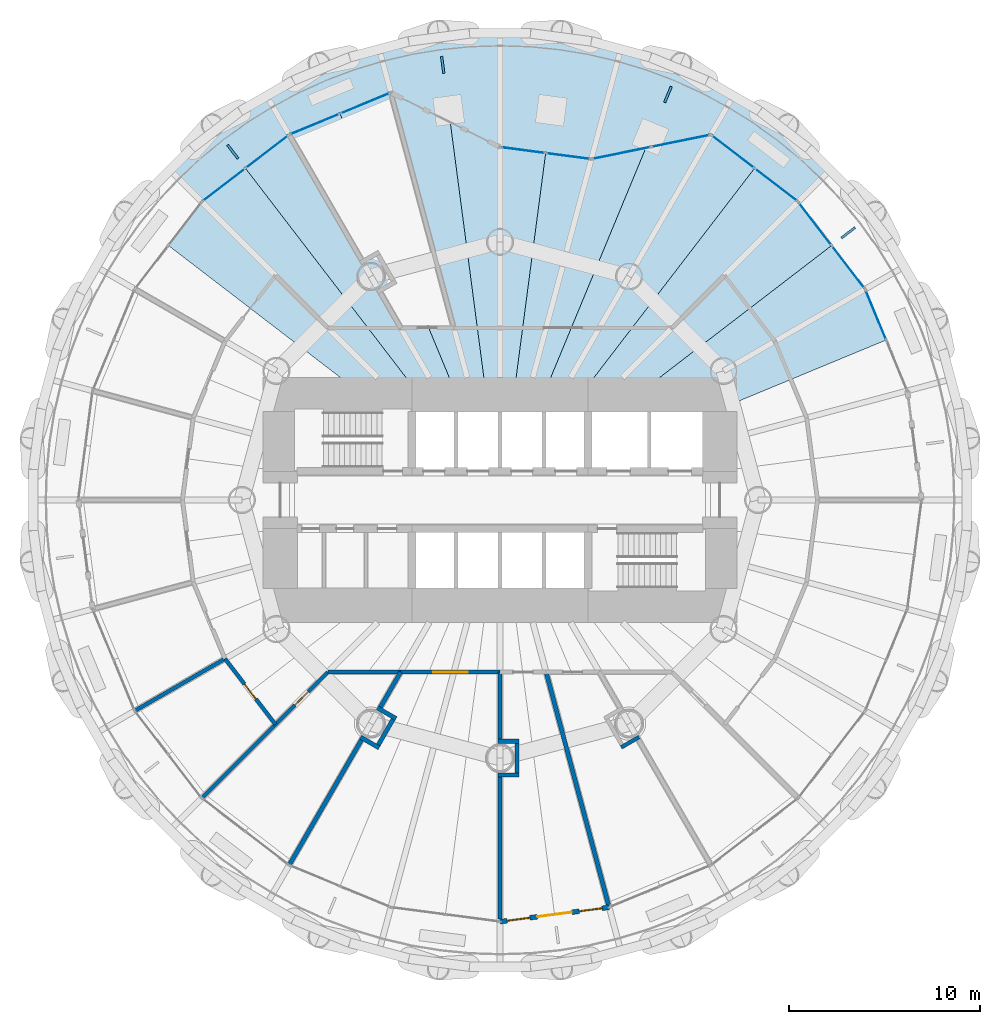
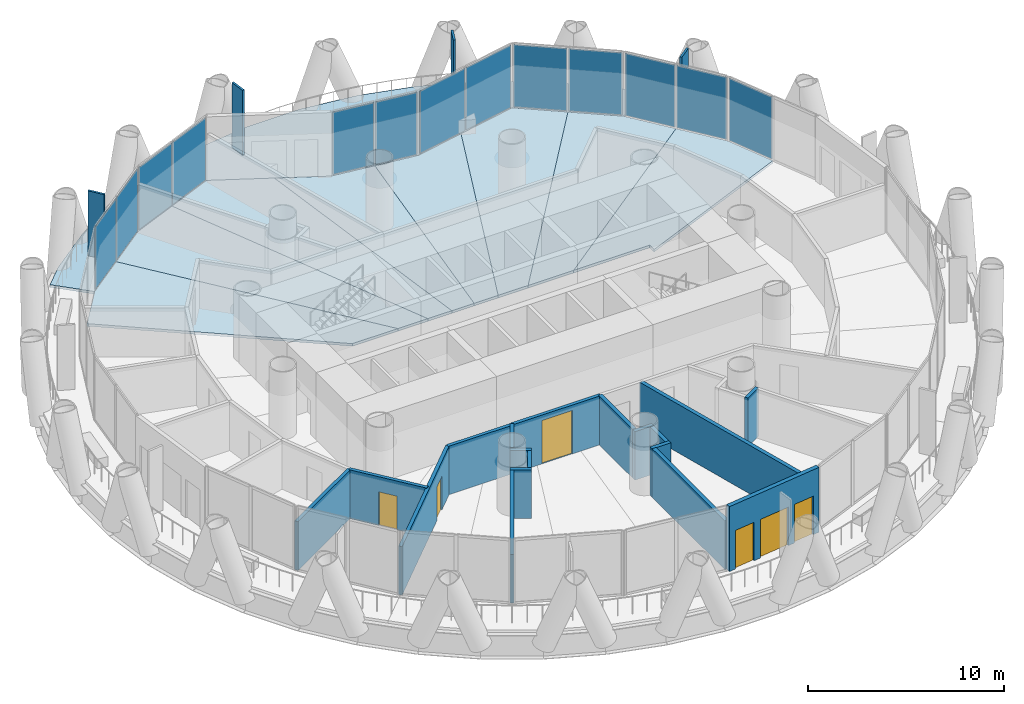
# One storey, part 9 of 16: 18 walls, 17 plates, 9 slabs, 4 doors, 2 windows, 6 openings, 7 elements without a shape of their own.
"""IFC4 building model written with IfcOpenShell, lengths in metres."""

from ifc_helpers import new_model, si_unit, direction, frame, frame_2d, origin, origin_2d, place, context, subcontext, project, spatial, polyline, rectangle, outline, extrude, material, layer, layer_set, type_object, element, fill, aggregate, save


model = new_model("IFC4")

# Units and contexts
model_context = context("Model", 3, precision=1e-05, world=origin(), true_north=direction((0.0, 1.0)))
body_context = subcontext(model_context, "Body", "Model", "MODEL_VIEW")
ifc_project = project(units=[si_unit("LENGTHUNIT", "METRE"), si_unit("AREAUNIT", "SQUARE_METRE"), si_unit("VOLUMEUNIT", "CUBIC_METRE"), si_unit("PLANEANGLEUNIT", "RADIAN"), si_unit("MASSUNIT", "GRAM", prefix="KILO")], contexts=[model_context])

# Site, building, storey
site_placement = place(None, origin())
site = spatial("IfcSite", under=ifc_project, at=site_placement, CompositionType="ELEMENT")
building_placement = place(site_placement, origin())
building = spatial("IfcBuilding", under=site, at=building_placement, Name="Qaws Media Tower", CompositionType="ELEMENT")
storey_placement = place(building_placement, frame((0.0, 0.0, 47.0)))
storey = spatial("IfcBuildingStorey", under=building, at=storey_placement, Name="L09", CompositionType="ELEMENT", Elevation=47.0)

# Slabs
ifc_material_1 = material(Name="Concrete C35/45", Category="concrete")
ifc_layer_1 = layer(ifc_material_1, 0.159912109375)
ifc_layer_set_1 = layer_set([ifc_layer_1], Name="Composite balcony slab 160")
slab_type_1 = type_object("IfcSlabType", Name="Composite balcony slab 160", PredefinedType="FLOOR", material=ifc_layer_set_1)
slab_1_placement = place(storey_placement, frame((0.0, 0.0, -0.159912109375)))
element("IfcSlab", 1, at=slab_1_placement, inside=storey, type_object=slab_type_1, Name="S2 balcony slab L09 R04 to R10, movement joints on R04 and R10", PredefinedType="FLOOR", context=body_context, shape_type="SweptSolid", body=[
    extrude(outline(polyline([(43.87890625, 68.382568359375), (46.416259765625, 70.329345703125), (49.18603515625, 71.928466796875), (52.140869140625, 73.15234375), (55.22998046875, 73.980224609375), (58.40087890625, 74.397705078125), (61.59912109375, 74.397705078125), (64.77001953125, 73.980224609375), (67.859130859375, 73.15234375), (70.81396484375, 71.928466796875), (73.583740234375, 70.329345703125), (76.12109375, 68.382568359375), (77.251708984375, 67.251708984375), (75.591796875, 65.591796875), (71.02490234375, 69.095947265625), (64.775146484375, 67.8212890625), (60.0, 68.449951171875), (54.29296875, 71.298583984375), (48.97509765625, 69.095947265625), (44.408203125, 65.591796875), (42.748291015625, 67.251708984375), (43.87890625, 68.382568359375)])), origin(), (0.0, 0.0, 1.0), 0.159912109375),
])
ifc_material_2 = material(Name="Concrete C35/45", Category="concrete")
ifc_layer_2 = layer(ifc_material_2, 0.159912109375)
ifc_layer_set_2 = layer_set([ifc_layer_2], Name="Composite floor slab 160")
slab_type_2 = type_object("IfcSlabType", Name="Composite floor slab 160", PredefinedType="FLOOR", material=ifc_layer_set_2)
slab_2_placement = place(storey_placement, frame((0.0, 0.0, -0.159912109375)))
element("IfcSlab", 2, at=slab_2_placement, inside=storey, type_object=slab_type_2, Name="S1 floor panel L09 on R03", PredefinedType="FLOOR", context=body_context, shape_type="SweptSolid", body=[
    extrude(outline(polyline([(79.095947265625, 61.02490234375), (80.197265625, 58.365966796875), (71.0, 54.556396484375), (71.0, 55.0), (66.51611328125, 55.0), (77.34375, 63.308349609375), (79.095947265625, 61.02490234375)])), origin(), (0.0, 0.0, 1.0), 0.159912109375),
])
slab_3_placement = place(storey_placement, frame((0.0, 0.0, -0.159912109375)))
element("IfcSlab", 3, at=slab_3_placement, inside=storey, type_object=slab_type_2, Name="S1 floor panel L09 on R04", PredefinedType="FLOOR", context=body_context, shape_type="SweptSolid", body=[
    extrude(outline(polyline([(75.591796875, 65.591796875), (77.34375, 63.308349609375), (66.51611328125, 55.0), (63.836669921875, 55.0), (73.308349609375, 67.34375), (75.591796875, 65.591796875)])), origin(), (0.0, 0.0, 1.0), 0.159912109375),
])
slab_4_placement = place(storey_placement, frame((0.0, 0.0, -0.159912109375)))
element("IfcSlab", 4, at=slab_4_placement, inside=storey, type_object=slab_type_2, Name="S1 floor panel L09 on R05", PredefinedType="FLOOR", context=body_context, shape_type="SweptSolid", body=[
    extrude(outline(polyline([(71.02490234375, 69.095947265625), (73.308349609375, 67.34375), (63.836669921875, 55.0), (62.071044921875, 55.0), (67.622314453125, 68.40185546875), (71.02490234375, 69.095947265625)])), origin(), (0.0, 0.0, 1.0), 0.159912109375),
])
slab_5_placement = place(storey_placement, frame((0.0, 0.0, -0.159912109375)))
element("IfcSlab", 5, at=slab_5_placement, inside=storey, type_object=slab_type_2, Name="S1 floor panel L09 on R06", PredefinedType="FLOOR", context=body_context, shape_type="SweptSolid", body=[
    extrude(outline(polyline([(64.775146484375, 67.8212890625), (67.622314453125, 68.40185546875), (62.071044921875, 55.0), (60.658203125, 55.0), (62.3876953125, 68.1357421875), (64.775146484375, 67.8212890625)])), origin(), (0.0, 0.0, 1.0), 0.159912109375),
])
slab_6_placement = place(storey_placement, frame((0.0, 0.0, -0.159912109375)))
element("IfcSlab", 6, at=slab_6_placement, inside=storey, type_object=slab_type_2, Name="S1 floor panel L09 on R07", PredefinedType="FLOOR", context=body_context, shape_type="SweptSolid", body=[
    extrude(outline(polyline([(60.0, 68.449951171875), (62.3876953125, 68.1357421875), (60.658203125, 55.0), (59.341796875, 55.0), (57.400146484375, 69.747802734375), (60.0, 68.449951171875)])), origin(), (0.0, 0.0, 1.0), 0.159912109375),
])
slab_7_placement = place(storey_placement, frame((0.0, 0.0, -0.159912109375)))
element("IfcSlab", 7, at=slab_7_placement, inside=storey, type_object=slab_type_2, Name="S1 floor panel L09 on R08", PredefinedType="FLOOR", context=body_context, shape_type="SweptSolid", body=[
    extrude(outline(polyline([(54.29296875, 71.298583984375), (57.400146484375, 69.747802734375), (59.341796875, 55.0), (57.928955078125, 55.0), (51.634033203125, 70.197265625), (54.29296875, 71.298583984375)])), origin(), (0.0, 0.0, 1.0), 0.159912109375),
])
slab_8_placement = place(storey_placement, frame((0.0, 0.0, -0.159912109375)))
element("IfcSlab", 8, at=slab_8_placement, inside=storey, type_object=slab_type_2, Name="S1 floor panel L09 on R09", PredefinedType="FLOOR", context=body_context, shape_type="SweptSolid", body=[
    extrude(outline(polyline([(48.97509765625, 69.095947265625), (51.634033203125, 70.197265625), (57.928955078125, 55.0), (56.163330078125, 55.0), (46.691650390625, 67.34375), (48.97509765625, 69.095947265625)])), origin(), (0.0, 0.0, 1.0), 0.159912109375),
])
slab_9_placement = place(storey_placement, frame((0.0, 0.0, -0.159912109375)))
element("IfcSlab", 9, at=slab_9_placement, inside=storey, type_object=slab_type_2, Name="S1 floor panel L09 on R10", PredefinedType="FLOOR", context=body_context, shape_type="SweptSolid", body=[
    extrude(outline(polyline([(44.408203125, 65.591796875), (46.691650390625, 67.34375), (56.163330078125, 55.0), (53.48388671875, 55.0), (42.65625, 63.308349609375), (44.408203125, 65.591796875)])), origin(), (0.0, 0.0, 1.0), 0.159912109375),
])

# Curtain wall, plate
ifc_material_3 = material(Name="Aluminium and clear glass", Category="aluminium")
curtain_wall_type_1 = type_object("IfcCurtainWallType", Name="Unitised curtain wall CW-A", PredefinedType="NOTDEFINED", material=ifc_material_3)
curtain_wall_1_placement = place(storey_placement, origin())
curtain_wall_1 = element("IfcCurtainWall", 10, at=curtain_wall_1_placement, inside=storey, type_object=curtain_wall_type_1, Name="CWA curtain wall L09-02", PredefinedType="NOTDEFINED")
ifc_material_4 = material(Name="Clear laminated double glazing", Category="glass")
ifc_layer_3 = layer(ifc_material_4, 0.031982421875)
ifc_layer_set_3 = layer_set([ifc_layer_3], Name="Curtain wall glass unit 32")
plate_type_1 = type_object("IfcPlateType", Name="Curtain wall glass unit 32", PredefinedType="CURTAIN_PANEL", material=ifc_layer_set_3)
plate_1_placement = place(storey_placement, frame((79.654296875, 59.677001953125, 0.080078125), z_axis=(0.0, 0.0, 1.0), x_axis=(-0.382683388877, 0.923879550525, 0.0)))
plate_1 = element("IfcPlate", 11, at=plate_1_placement, type_object=plate_type_1, Name="CWA panel 2.1", PredefinedType="CURTAIN_PANEL", context=body_context, shape_type="SweptSolid", body=[
    extrude(rectangle(XDim=2.758056640625, YDim=0.031982421875, at=origin_2d()), origin(), (0.0, 0.0, 1.0), 3.8798828125),
])
aggregate(curtain_wall_1, [plate_1])

# Curtain wall, plates
curtain_wall_2_placement = place(storey_placement, origin())
curtain_wall_2 = element("IfcCurtainWall", 12, at=curtain_wall_2_placement, inside=storey, type_object=curtain_wall_type_1, Name="CWA curtain wall L09-03", PredefinedType="NOTDEFINED")
plate_2_placement = place(storey_placement, frame((78.207763671875, 62.1826171875, 0.080078125), z_axis=(0.0, 0.0, 1.0), x_axis=(-0.608761320465, 0.79335342358, 0.0)))
plate_2 = element("IfcPlate", 13, at=plate_2_placement, type_object=plate_type_1, Name="CWA panel 1.1", PredefinedType="CURTAIN_PANEL", context=body_context, shape_type="SweptSolid", body=[
    extrude(rectangle(XDim=2.758056640625, YDim=0.031982421875, at=origin_2d()), origin(), (0.0, 0.0, 1.0), 3.8798828125),
])
plate_3_placement = place(storey_placement, frame((76.47998046875, 64.43408203125, 0.080078125), z_axis=(0.0, 0.0, 1.0), x_axis=(-0.608761320465, 0.79335342358, 0.0)))
plate_3 = element("IfcPlate", 14, at=plate_3_placement, type_object=plate_type_1, Name="CWA panel 2.1", PredefinedType="CURTAIN_PANEL", context=body_context, shape_type="SweptSolid", body=[
    extrude(rectangle(XDim=2.758056640625, YDim=0.031982421875, at=origin_2d()), origin(), (0.0, 0.0, 1.0), 3.8798828125),
])
aggregate(curtain_wall_2, [plate_2, plate_3])

curtain_wall_3_placement = place(storey_placement, origin())
curtain_wall_3 = element("IfcCurtainWall", 15, at=curtain_wall_3_placement, inside=storey, type_object=curtain_wall_type_1, Name="CWA curtain wall L09-04", PredefinedType="NOTDEFINED")
plate_4_placement = place(storey_placement, frame((74.43408203125, 66.47998046875, 0.080078125), z_axis=(0.0, 0.0, 1.0), x_axis=(-0.79335342358, 0.608761320465, 0.0)))
plate_4 = element("IfcPlate", 16, at=plate_4_placement, type_object=plate_type_1, Name="CWA panel 1.1", PredefinedType="CURTAIN_PANEL", context=body_context, shape_type="SweptSolid", body=[
    extrude(rectangle(XDim=2.758056640625, YDim=0.031982421875, at=origin_2d()), origin(), (0.0, 0.0, 1.0), 3.8798828125),
])
plate_5_placement = place(storey_placement, frame((72.1826171875, 68.207763671875, 0.080078125), z_axis=(0.0, 0.0, 1.0), x_axis=(-0.79335342358, 0.608761320465, 0.0)))
plate_5 = element("IfcPlate", 17, at=plate_5_placement, type_object=plate_type_1, Name="CWA panel 2.1", PredefinedType="CURTAIN_PANEL", context=body_context, shape_type="SweptSolid", body=[
    extrude(rectangle(XDim=2.758056640625, YDim=0.031982421875, at=origin_2d()), origin(), (0.0, 0.0, 1.0), 3.8798828125),
])
aggregate(curtain_wall_3, [plate_4, plate_5])

ifc_material_5 = material(Name="Aluminium and clear glass", Category="aluminium")
curtain_wall_type_2 = type_object("IfcCurtainWallType", Name="Loggia curtain wall CW-G", PredefinedType="NOTDEFINED", material=ifc_material_5)
curtain_wall_4_placement = place(storey_placement, origin())
curtain_wall_4 = element("IfcCurtainWall", 18, at=curtain_wall_4_placement, inside=storey, type_object=curtain_wall_type_2, Name="CWG curtain wall L09-05", PredefinedType="NOTDEFINED")
plate_6_placement = place(storey_placement, frame((69.44287109375, 68.773193359375, 0.080078125), z_axis=(0.0, 0.0, 1.0), x_axis=(-0.979832864892, -0.19981881012, 0.0)))
plate_6 = element("IfcPlate", 19, at=plate_6_placement, type_object=plate_type_1, Name="CWG panel 1.1", PredefinedType="CURTAIN_PANEL", context=body_context, shape_type="SweptSolid", body=[
    extrude(rectangle(XDim=3.069091796875, YDim=0.031982421875, at=origin_2d()), origin(), (0.0, 0.0, 1.0), 3.8798828125),
])
plate_7_placement = place(storey_placement, frame((66.357177734375, 68.14404296875, 0.080078125), z_axis=(0.0, 0.0, 1.0), x_axis=(-0.979832864892, -0.19981881012, 0.0)))
plate_7 = element("IfcPlate", 20, at=plate_7_placement, type_object=plate_type_1, Name="CWG panel 2.1", PredefinedType="CURTAIN_PANEL", context=body_context, shape_type="SweptSolid", body=[
    extrude(rectangle(XDim=3.069091796875, YDim=0.031982421875, at=origin_2d()), origin(), (0.0, 0.0, 1.0), 3.8798828125),
])
aggregate(curtain_wall_4, [plate_6, plate_7])

curtain_wall_5_placement = place(storey_placement, origin())
curtain_wall_5 = element("IfcCurtainWall", 21, at=curtain_wall_5_placement, inside=storey, type_object=curtain_wall_type_2, Name="CWG curtain wall L09-06", PredefinedType="NOTDEFINED")
plate_8_placement = place(storey_placement, frame((63.5615234375, 67.981201171875, 0.080078125), z_axis=(0.0, 0.0, 1.0), x_axis=(-0.991444846721, 0.130526303519, 0.0)))
plate_8 = element("IfcPlate", 22, at=plate_8_placement, type_object=plate_type_1, Name="CWG panel 1.1", PredefinedType="CURTAIN_PANEL", context=body_context, shape_type="SweptSolid", body=[
    extrude(rectangle(XDim=2.288330078125, YDim=0.031982421875, at=origin_2d()), origin(), (0.0, 0.0, 1.0), 3.8798828125),
])
plate_9_placement = place(storey_placement, frame((61.213623046875, 68.290283203125, 0.080078125), z_axis=(0.0, 0.0, 1.0), x_axis=(-0.991444846721, 0.130526303519, 0.0)))
plate_9 = element("IfcPlate", 23, at=plate_9_placement, type_object=plate_type_1, Name="CWG panel 2.1", PredefinedType="CURTAIN_PANEL", context=body_context, shape_type="SweptSolid", body=[
    extrude(rectangle(XDim=2.288330078125, YDim=0.031982421875, at=origin_2d()), origin(), (0.0, 0.0, 1.0), 3.8798828125),
])
aggregate(curtain_wall_5, [plate_8, plate_9])

curtain_wall_6_placement = place(storey_placement, origin())
curtain_wall_6 = element("IfcCurtainWall", 24, at=curtain_wall_6_placement, inside=storey, type_object=curtain_wall_type_1, Name="CWA curtain wall L09-08", PredefinedType="NOTDEFINED")
plate_10_placement = place(storey_placement, frame((52.945068359375, 70.740234375, 0.080078125), z_axis=(0.0, 0.0, 1.0), x_axis=(-0.923879550525, -0.382683388877, 0.0)))
plate_10 = element("IfcPlate", 25, at=plate_10_placement, type_object=plate_type_1, Name="CWA panel 1.1", PredefinedType="CURTAIN_PANEL", context=body_context, shape_type="SweptSolid", body=[
    extrude(rectangle(XDim=2.758056640625, YDim=0.031982421875, at=origin_2d()), origin(), (0.0, 0.0, 1.0), 3.8798828125),
])
plate_11_placement = place(storey_placement, frame((50.322998046875, 69.654296875, 0.080078125), z_axis=(0.0, 0.0, 1.0), x_axis=(-0.923879550525, -0.382683388877, 0.0)))
plate_11 = element("IfcPlate", 26, at=plate_11_placement, type_object=plate_type_1, Name="CWA panel 2.1", PredefinedType="CURTAIN_PANEL", context=body_context, shape_type="SweptSolid", body=[
    extrude(rectangle(XDim=2.758056640625, YDim=0.031982421875, at=origin_2d()), origin(), (0.0, 0.0, 1.0), 3.8798828125),
])
aggregate(curtain_wall_6, [plate_10, plate_11])

curtain_wall_7_placement = place(storey_placement, origin())
curtain_wall_7 = element("IfcCurtainWall", 27, at=curtain_wall_7_placement, inside=storey, type_object=curtain_wall_type_1, Name="CWA curtain wall L09-09", PredefinedType="NOTDEFINED")
plate_12_placement = place(storey_placement, frame((47.8173828125, 68.207763671875, 0.080078125), z_axis=(0.0, 0.0, 1.0), x_axis=(-0.79335342358, -0.608761320465, 0.0)))
plate_12 = element("IfcPlate", 28, at=plate_12_placement, type_object=plate_type_1, Name="CWA panel 1.1", PredefinedType="CURTAIN_PANEL", context=body_context, shape_type="SweptSolid", body=[
    extrude(rectangle(XDim=2.758056640625, YDim=0.031982421875, at=origin_2d()), origin(), (0.0, 0.0, 1.0), 3.8798828125),
])
plate_13_placement = place(storey_placement, frame((45.56591796875, 66.47998046875, 0.080078125), z_axis=(0.0, 0.0, 1.0), x_axis=(-0.79335342358, -0.608761320465, 0.0)))
plate_13 = element("IfcPlate", 29, at=plate_13_placement, type_object=plate_type_1, Name="CWA panel 2.1", PredefinedType="CURTAIN_PANEL", context=body_context, shape_type="SweptSolid", body=[
    extrude(rectangle(XDim=2.758056640625, YDim=0.031982421875, at=origin_2d()), origin(), (0.0, 0.0, 1.0), 3.8798828125),
])
aggregate(curtain_wall_7, [plate_12, plate_13])

# Plates
ifc_material_6 = material(Name="Precast concrete screen fin", Category="concrete")
ifc_layer_4 = layer(ifc_material_6, 0.1201171875)
ifc_layer_set_4 = layer_set([ifc_layer_4], Name="Screen fin 120x900")
plate_type_2 = type_object("IfcPlateType", Name="Screen fin 120x900", PredefinedType="USERDEFINED", material=ifc_layer_set_4)
for number, where, z_axis, x_axis, name in (
    (30, (78.20751953125, 63.97119140625, 0.0), (0.0, 0.0, 1.0), (0.793353340291, 0.608761429009, 0.0), "SCR1 screen fin L09-02"),
    (31, (68.782470703125, 71.203125, 0.0), (0.0, 0.0, 1.0), (0.382683432365, 0.923879532511, 0.0), "SCR1 screen fin L09-03"),
    (32, (57.00439453125, 72.753662109375, 0.0), (0.0, 0.0, 1.0), (-0.13052619222, 0.991444861374, 0.0), "SCR1 screen fin L09-04"),
    (33, (46.02880859375, 68.20751953125, 0.0), (0.0, 0.0, 1.0), (-0.608761429009, 0.793353340291, 0.0), "SCR1 screen fin L09-05"),
):
    element("IfcPlate", number, at=place(storey_placement, frame(where, z_axis=z_axis, x_axis=x_axis)), inside=storey, type_object=plate_type_2, Name=name, ObjectType="SCREEN", PredefinedType="USERDEFINED", context=body_context, shape_type="SweptSolid", body=[
        extrude(rectangle(XDim=0.89990234375, YDim=0.1201171875, at=origin_2d()), origin(), (0.0, 0.0, 1.0), 4.0400390625),
    ])

# Walls
ifc_material_7 = material(Name="Twin metal stud frames, two layers gypsum board each side, insulated, Rw 55", Category="gypsum")
ifc_layer_5 = layer(ifc_material_7, 0.22509765625)
ifc_layer_set_5 = layer_set([ifc_layer_5], Name="Acoustic twin-stud partition 225 Rw 55")
wall_type_1 = type_object("IfcWallType", Name="Acoustic twin-stud partition 225 Rw 55", PredefinedType="PARTITIONING", material=ifc_layer_set_5)
wall_1_placement = place(storey_placement, frame((53.59423828125, 39.1298828125, 0.0), z_axis=(0.0, 0.0, 1.0), x_axis=(0.866112899501, -0.499848422343, 0.0)))
element("IfcWall", 34, at=wall_1_placement, inside=storey, type_object=wall_type_1, Name="W062 IW6 partition return L09", PredefinedType="PARTITIONING", context=body_context, shape_type="SweptSolid", body=[
    extrude(rectangle(XDim=1.118408203125, YDim=0.22509765625, at=frame_2d((0.55908203125, 0.0))), origin(), (0.0, 0.0, 1.0), 3.02001953125),
])
wall_2_placement = place(storey_placement, frame((52.710693359375, 37.599853515625, 0.0), z_axis=(0.0, 0.0, 1.0), x_axis=(0.866018397847, -0.500012134443, 0.0)))
element("IfcWall", 35, at=wall_2_placement, inside=storey, type_object=wall_type_1, Name="W058 IW6 partition return L09", PredefinedType="PARTITIONING", context=body_context, shape_type="SweptSolid", body=[
    extrude(rectangle(XDim=1.11865234375, YDim=0.22509765625, at=frame_2d((0.559326171875, 0.0))), origin(), (0.0, 0.0, 1.0), 3.02001953125),
])
wall_3_placement = place(storey_placement, frame((54.4091796875, 38.529541015625, 0.0), z_axis=(0.0, 0.0, 1.0), x_axis=(-0.499987416453, -0.866032668777, 0.0)))
element("IfcWall", 36, at=wall_3_placement, inside=storey, type_object=wall_type_1, Name="W064 IW6 partition return L09", PredefinedType="PARTITIONING", context=body_context, shape_type="SweptSolid", body=[
    extrude(rectangle(XDim=1.5419921875, YDim=0.22509765625, at=frame_2d((0.77099609375, 0.0))), origin(), (0.0, 0.0, 1.0), 3.02001953125),
])
wall_4_placement = place(storey_placement, frame((54.81005859375, 41.0107421875, 0.0), z_axis=(0.0, 0.0, 1.0), x_axis=(-0.499971184285, -0.866042039906, 0.0)))
element("IfcWall", 37, at=wall_4_placement, inside=storey, type_object=wall_type_1, Name="W066 IW6 partition L09", PredefinedType="PARTITIONING", context=body_context, shape_type="SweptSolid", body=[
    extrude(rectangle(XDim=2.124267578125, YDim=0.22509765625, at=frame_2d((1.06201171875, 0.0))), origin(), (0.0, 0.0, 1.0), 3.0400390625),
])
wall_5_placement = place(storey_placement, frame((52.751953125, 37.446044921875, 0.0), z_axis=(0.0, 0.0, 1.0), x_axis=(-0.49998308612, -0.866035168797, 0.0)))
element("IfcWall", 38, at=wall_5_placement, inside=storey, type_object=wall_type_1, Name="W060 IW6 partition L09", PredefinedType="PARTITIONING", context=body_context, shape_type="SweptSolid", body=[
    extrude(rectangle(XDim=7.513916015625, YDim=0.22509765625, at=frame_2d((3.7568359375, 0.0))), origin(), (0.0, 0.0, 1.0), 3.0400390625),
])
for number, where, z_axis, x_axis, name in (
    (39, (59.887451171875, 37.383544921875, 0.0), (0.0, 0.0, 1.0), (1.0, 0.0, 0.0), "W069 IW6 partition return L09"),
    (40, (59.887451171875, 35.616455078125, 0.0), (0.0, 0.0, 1.0), (1.0, 0.0, 0.0), "W068 IW6 partition return L09"),
):
    element("IfcWall", number, at=place(storey_placement, frame(where, z_axis=z_axis, x_axis=x_axis)), inside=storey, type_object=wall_type_1, Name=name, PredefinedType="PARTITIONING", context=body_context, shape_type="SweptSolid", body=[
        extrude(rectangle(XDim=1.11865234375, YDim=0.22509765625, at=frame_2d((0.559326171875, 0.0))), origin(), (0.0, 0.0, 1.0), 3.02001953125),
    ])
wall_6_placement = place(storey_placement, frame((60.8935546875, 37.27099609375, 0.0), z_axis=(0.0, 0.0, 1.0), x_axis=(0.0, -1.0, 0.0)))
element("IfcWall", 41, at=wall_6_placement, inside=storey, type_object=wall_type_1, Name="W072 IW6 partition return L09", PredefinedType="PARTITIONING", context=body_context, shape_type="SweptSolid", body=[
    extrude(rectangle(XDim=1.5419921875, YDim=0.22509765625, at=frame_2d((0.77099609375, 0.0))), origin(), (0.0, 0.0, 1.0), 3.02001953125),
])
wall_7_placement = place(storey_placement, frame((60.0, 41.0, 0.0), z_axis=(0.0, 0.0, 1.0), x_axis=(0.0, -1.0, 0.0)))
element("IfcWall", 42, at=wall_7_placement, inside=storey, type_object=wall_type_1, Name="W071 IW6 partition L09", PredefinedType="PARTITIONING", context=body_context, shape_type="SweptSolid", body=[
    extrude(rectangle(XDim=3.50390625, YDim=0.22509765625, at=frame_2d((1.751953125, 0.0))), origin(), (0.0, 0.0, 1.0), 3.0400390625),
])
wall_8_placement = place(storey_placement, frame((60.0, 35.50390625, 0.0), z_axis=(0.0, 0.0, 1.0), x_axis=(0.0, -1.0, 0.0)))
element("IfcWall", 43, at=wall_8_placement, inside=storey, type_object=wall_type_1, Name="W070 IW6 partition L09", PredefinedType="PARTITIONING", context=body_context, shape_type="SweptSolid", body=[
    extrude(rectangle(XDim=7.413818359375, YDim=0.22509765625, at=frame_2d((3.70703125, 0.0))), origin(), (0.0, 0.0, 1.0), 3.0400390625),
])
wall_9_placement = place(storey_placement, frame((62.412109375, 40.99755859375, 0.0), z_axis=(0.0, 0.0, 1.0), x_axis=(0.258822352026, -0.965924940195, 0.0)))
element("IfcWall", 44, at=wall_9_placement, inside=storey, type_object=wall_type_1, Name="W073 IW6 partition L09", PredefinedType="PARTITIONING", context=body_context, shape_type="SweptSolid", body=[
    extrude(rectangle(XDim=12.58984375, YDim=0.22509765625, at=frame_2d((6.294921875, 0.0))), origin(), (0.0, 0.0, 1.0), 3.02001953125),
])

# Wall, openings, door, windows
ifc_material_8 = material(Name="Precast concrete, exposed finish", Category="concrete")
ifc_layer_6 = layer(ifc_material_8, 0.25)
ifc_layer_set_6 = layer_set([ifc_layer_6], Name="Balcony door wall 250")
wall_type_2 = type_object("IfcWallType", Name="Balcony door wall 250", PredefinedType="SOLIDWALL", material=ifc_layer_set_6)
wall_10_placement = place(storey_placement, frame((60.0, 27.949951171875, 0.0), z_axis=(0.0, 0.0, 1.0), x_axis=(0.991442165061, 0.130546671118, 0.0)))
wall_10 = element("IfcWall", 45, at=wall_10_placement, inside=storey, type_object=wall_type_2, Name="W126 EW1 balcony door wall L09-19", PredefinedType="SOLIDWALL", context=body_context, shape_type="SweptSolid", body=[
    extrude(rectangle(XDim=5.75634765625, YDim=0.25, at=frame_2d((2.878173828125, 0.0))), origin(), (0.0, 0.0, 1.0), 4.0400390625),
])
opening_1_placement = place(wall_10_placement, frame((1.97802734375, 0.0, 0.0)))
opening_1 = element("IfcOpeningElement", 46, at=opening_1_placement, cuts=wall_10, Name="Opening D7", PredefinedType="OPENING", context=body_context, shape_type="SweptSolid", body=[
    extrude(rectangle(XDim=1.800048828125, YDim=2.39990234375, at=frame_2d((0.89990234375, 1.199951171875))), frame((0.0, 0.135009765625, 0.0), z_axis=(0.0, -1.0, 0.0), x_axis=(1.0, 0.0, 0.0)), (0.0, 0.0, 1.0), 0.27001953125),
])
opening_2_placement = place(wall_10_placement, frame((0.378173828125, 0.0, 0.0)))
opening_2 = element("IfcOpeningElement", 47, at=opening_2_placement, cuts=wall_10, Name="Opening W1", PredefinedType="OPENING", context=body_context, shape_type="SweptSolid", body=[
    extrude(rectangle(XDim=1.199951171875, YDim=2.39990234375, at=frame_2d((0.60009765625, 1.199951171875))), frame((0.0, 0.135009765625, 0.0), z_axis=(0.0, -1.0, 0.0), x_axis=(1.0, 0.0, 0.0)), (0.0, 0.0, 1.0), 0.27001953125),
])
opening_3_placement = place(wall_10_placement, frame((4.17822265625, 0.0, 0.0)))
opening_3 = element("IfcOpeningElement", 48, at=opening_3_placement, cuts=wall_10, Name="Opening W1", PredefinedType="OPENING", context=body_context, shape_type="SweptSolid", body=[
    extrude(rectangle(XDim=1.199951171875, YDim=2.39990234375, at=frame_2d((0.60009765625, 1.199951171875))), frame((0.0, 0.135009765625, 0.0), z_axis=(0.0, -1.0, 0.0), x_axis=(1.0, 0.0, 0.0)), (0.0, 0.0, 1.0), 0.27001953125),
])
ifc_material_9 = material(Name="Aluminium and clear glass", Category="aluminium")
door_type_1 = type_object("IfcDoorType", Name="Balcony door pair 1800", OperationType="DOUBLE_DOOR_SLIDING", PredefinedType="DOOR", material=ifc_material_9)
door_1_placement = place(opening_1_placement, origin())
door_1 = element("IfcDoor", 49, at=door_1_placement, inside=storey, type_object=door_type_1, Name="D7 balcony door L09-19 in wall W126", OperationType="DOUBLE_DOOR_SLIDING", OverallHeight=2.39990234375, OverallWidth=1.800048828125, PredefinedType="DOOR", context=body_context, shape_type="SweptSolid", body=[
    extrude(rectangle(XDim=1.800048828125, YDim=2.39990234375, at=frame_2d((0.89990234375, 1.199951171875))), frame((0.0, 0.02490234375, 0.0), z_axis=(0.0, -1.0, 0.0), x_axis=(1.0, 0.0, 0.0)), (0.0, 0.0, 1.0), 0.050048828125),
])
fill(opening_1, door_1)
ifc_material_10 = material(Name="Aluminium and clear glass", Category="aluminium")
window_type = type_object("IfcWindowType", Name="Balcony side window 1200", PartitioningType="SINGLE_PANEL", PredefinedType="WINDOW", material=ifc_material_10)
window_1_placement = place(opening_2_placement, origin())
window_1 = element("IfcWindow", 50, at=window_1_placement, inside=storey, type_object=window_type, Name="W1 balcony side light L09-19L", OverallHeight=2.39990234375, OverallWidth=1.199951171875, PartitioningType="SINGLE_PANEL", PredefinedType="WINDOW", context=body_context, shape_type="SweptSolid", body=[
    extrude(rectangle(XDim=1.199951171875, YDim=2.39990234375, at=frame_2d((0.60009765625, 1.199951171875))), frame((0.0, 0.030029296875, 0.0), z_axis=(0.0, -1.0, 0.0), x_axis=(1.0, 0.0, 0.0)), (0.0, 0.0, 1.0), 0.06005859375),
])
fill(opening_2, window_1)
window_2_placement = place(opening_3_placement, origin())
window_2 = element("IfcWindow", 51, at=window_2_placement, inside=storey, type_object=window_type, Name="W1 balcony side light L09-19R", OverallHeight=2.39990234375, OverallWidth=1.199951171875, PartitioningType="SINGLE_PANEL", PredefinedType="WINDOW", context=body_context, shape_type="SweptSolid", body=[
    extrude(rectangle(XDim=1.199951171875, YDim=2.39990234375, at=frame_2d((0.60009765625, 1.199951171875))), frame((0.0, 0.030029296875, 0.0), z_axis=(0.0, -1.0, 0.0), x_axis=(1.0, 0.0, 0.0)), (0.0, 0.0, 1.0), 0.06005859375),
])
fill(opening_3, window_2)

# Wall, opening, door
ifc_material_11 = material(Name="Gypsum board on galvanised metal studs, acoustic double stud, deflection head", Category="gypsum")
ifc_layer_7 = layer(ifc_material_11, 0.199951171875)
ifc_layer_set_7 = layer_set([ifc_layer_7], Name="Room partition 200")
wall_type_3 = type_object("IfcWallType", Name="Room partition 200", PredefinedType="PARTITIONING", material=ifc_layer_set_7)
wall_11_placement = place(storey_placement, frame((48.261962890625, 38.261962890625, 0.0), z_axis=(0.0, 0.0, 1.0), x_axis=(-0.60874374674, 0.79336690806, 0.0)))
wall_11 = element("IfcWall", 52, at=wall_11_placement, inside=storey, type_object=wall_type_3, Name="W993 IW3 partition L09", PredefinedType="PARTITIONING", context=body_context, shape_type="SweptSolid", body=[
    extrude(rectangle(XDim=4.33349609375, YDim=0.199951171875, at=frame_2d((2.166748046875, 0.0))), origin(), (0.0, 0.0, 1.0), 3.0400390625),
])
opening_4_placement = place(wall_11_placement, frame((1.666748046875, 0.0, 0.0)))
opening_4 = element("IfcOpeningElement", 53, at=opening_4_placement, cuts=wall_11, Name="Opening D5", PredefinedType="OPENING", context=body_context, shape_type="SweptSolid", body=[
    extrude(rectangle(XDim=1.0, YDim=2.10009765625, at=frame_2d((0.5, 1.050048828125))), frame((0.0, 0.10986328125, 0.0), z_axis=(0.0, -1.0, 0.0), x_axis=(1.0, 0.0, 0.0)), (0.0, 0.0, 1.0), 0.219970703125),
])
ifc_material_12 = material(Name="Timber veneered, acoustic seal", Category="wood")
door_type_2 = type_object("IfcDoorType", Name="Room door 1000", OperationType="SINGLE_SWING_LEFT", PredefinedType="DOOR", material=ifc_material_12)
door_2_placement = place(opening_4_placement, origin())
door_2 = element("IfcDoor", 54, at=door_2_placement, inside=storey, type_object=door_type_2, Name="D5 Edit room door L09 in wall W993", OperationType="SINGLE_SWING_LEFT", OverallHeight=2.10009765625, OverallWidth=1.0, PredefinedType="DOOR", context=body_context, shape_type="SweptSolid", body=[
    extrude(rectangle(XDim=1.0, YDim=2.10009765625, at=frame_2d((0.5, 1.050048828125))), frame((0.0, 0.02490234375, 0.0), z_axis=(0.0, -1.0, 0.0), x_axis=(1.0, 0.0, 0.0)), (0.0, 0.0, 1.0), 0.050048828125),
])
fill(opening_4, door_2)

wall_12_placement = place(storey_placement, frame((60.0, 41.0, 0.0), z_axis=(0.0, 0.0, 1.0), x_axis=(-1.0, 0.0, 0.0)))
wall_12 = element("IfcWall", 55, at=wall_12_placement, inside=storey, type_object=wall_type_3, Name="W1001 IW3 partition L09", PredefinedType="PARTITIONING", context=body_context, shape_type="SweptSolid", body=[
    extrude(rectangle(XDim=5.1962890625, YDim=0.199951171875, at=frame_2d((2.59814453125, 0.0))), origin(), (0.0, 0.0, 1.0), 3.0400390625),
])
opening_5_placement = place(wall_12_placement, frame((1.697998046875, 0.0, 0.0)))
opening_5 = element("IfcOpeningElement", 56, at=opening_5_placement, cuts=wall_12, Name="Opening D15", PredefinedType="OPENING", context=body_context, shape_type="SweptSolid", body=[
    extrude(rectangle(XDim=1.800048828125, YDim=2.699951171875, at=frame_2d((0.89990234375, 1.35009765625))), frame((0.0, 0.10986328125, 0.0), z_axis=(0.0, -1.0, 0.0), x_axis=(1.0, 0.0, 0.0)), (0.0, 0.0, 1.0), 0.219970703125),
])
ifc_material_13 = material(Name="Steel acoustic door set, Rw 50", Category="steel")
door_type_3 = type_object("IfcDoorType", Name="Studio acoustic door pair 1800x2700 Rw 50", OperationType="DOUBLE_DOOR_DOUBLE_SWING", PredefinedType="DOOR", material=ifc_material_13)
door_3_placement = place(opening_5_placement, origin())
door_3 = element("IfcDoor", 57, at=door_3_placement, inside=storey, type_object=door_type_3, Name="D15 Audio dubbing theatre door L09 in wall W1001", OperationType="DOUBLE_DOOR_DOUBLE_SWING", OverallHeight=2.699951171875, OverallWidth=1.800048828125, PredefinedType="DOOR", context=body_context, shape_type="SweptSolid", body=[
    extrude(rectangle(XDim=1.800048828125, YDim=2.699951171875, at=frame_2d((0.89990234375, 1.35009765625))), frame((0.0, 0.02490234375, 0.0), z_axis=(0.0, -1.0, 0.0), x_axis=(1.0, 0.0, 0.0)), (0.0, 0.0, 1.0), 0.050048828125),
])
fill(opening_5, door_3)

# Walls
wall_13_placement = place(storey_placement, frame((54.8037109375, 41.0, 0.0), z_axis=(0.0, 0.0, 1.0), x_axis=(-1.0, 0.0, 0.0)))
element("IfcWall", 58, at=wall_13_placement, inside=storey, type_object=wall_type_3, Name="W997 IW3 partition L09", PredefinedType="PARTITIONING", context=body_context, shape_type="SweptSolid", body=[
    extrude(rectangle(XDim=3.8037109375, YDim=0.199951171875, at=frame_2d((1.90185546875, 0.0))), origin(), (0.0, 0.0, 1.0), 3.02001953125),
])
wall_14_placement = place(storey_placement, frame((45.6240234375, 41.699951171875, 0.0), z_axis=(0.0, 0.0, 1.0), x_axis=(-0.866043556948, -0.499968556481, 0.0)))
element("IfcWall", 59, at=wall_14_placement, inside=storey, type_object=wall_type_3, Name="W1022 IW3 partition L09", PredefinedType="PARTITIONING", context=body_context, shape_type="SweptSolid", body=[
    extrude(rectangle(XDim=5.409912109375, YDim=0.199951171875, at=frame_2d((2.705078125, 0.0))), origin(), (0.0, 0.0, 1.0), 3.0400390625),
])

# Wall, opening, door
wall_15_placement = place(storey_placement, frame((51.0, 41.0, 0.0), z_axis=(0.0, 0.0, 1.0), x_axis=(-0.707106781187, -0.707106781187, 0.0)))
wall_15 = element("IfcWall", 60, at=wall_15_placement, inside=storey, type_object=wall_type_3, Name="W1023 IW3 partition L09", PredefinedType="PARTITIONING", context=body_context, shape_type="SweptSolid", body=[
    extrude(rectangle(XDim=9.2822265625, YDim=0.199951171875, at=frame_2d((4.64111328125, 0.0))), origin(), (0.0, 0.0, 1.0), 3.02001953125),
])
opening_6_placement = place(wall_15_placement, frame((1.43603515625, 0.0, 0.0)))
opening_6 = element("IfcOpeningElement", 61, at=opening_6_placement, cuts=wall_15, Name="Opening D5", PredefinedType="OPENING", context=body_context, shape_type="SweptSolid", body=[
    extrude(rectangle(XDim=1.0, YDim=2.10009765625, at=frame_2d((0.5, 1.050048828125))), frame((0.0, 0.10986328125, 0.0), z_axis=(0.0, -1.0, 0.0), x_axis=(1.0, 0.0, 0.0)), (0.0, 0.0, 1.0), 0.219970703125),
])
door_4_placement = place(opening_6_placement, origin())
door_4 = element("IfcDoor", 62, at=door_4_placement, inside=storey, type_object=door_type_2, Name="D5 Edit room door L09 in wall W1023", OperationType="SINGLE_SWING_LEFT", OverallHeight=2.10009765625, OverallWidth=1.0, PredefinedType="DOOR", context=body_context, shape_type="SweptSolid", body=[
    extrude(rectangle(XDim=1.0, YDim=2.10009765625, at=frame_2d((0.5, 1.050048828125))), frame((0.0, 0.02490234375, 0.0), z_axis=(0.0, -1.0, 0.0), x_axis=(1.0, 0.0, 0.0)), (0.0, 0.0, 1.0), 0.050048828125),
])
fill(opening_6, door_4)

# Wall
wall_16_placement = place(storey_placement, frame((67.272216796875, 37.604248046875, 0.0), z_axis=(0.0, 0.0, 1.0), x_axis=(-0.86603892542, -0.499976579108, 0.0)))
element("IfcWall", 63, at=wall_16_placement, inside=storey, type_object=wall_type_3, Name="W1029 IW3 partition return L09", PredefinedType="PARTITIONING", context=body_context, shape_type="SweptSolid", body=[
    extrude(rectangle(XDim=1.0810546875, YDim=0.199951171875, at=frame_2d((0.54052734375, 0.0))), origin(), (0.0, 0.0, 1.0), 3.02001953125),
])

save(model, "model.ifc")
